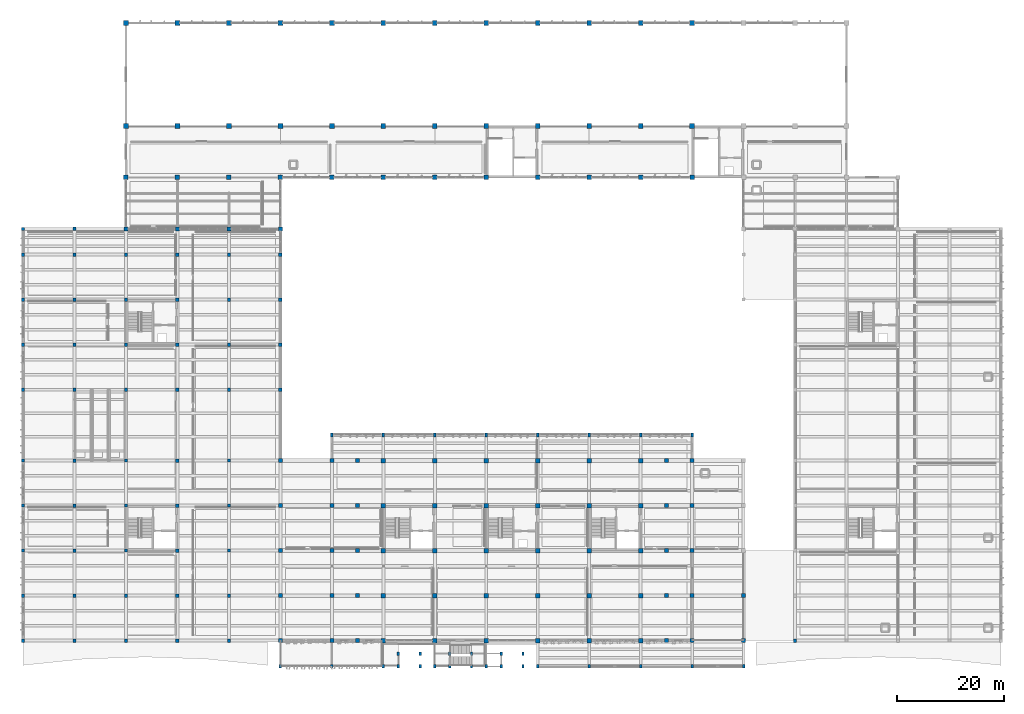
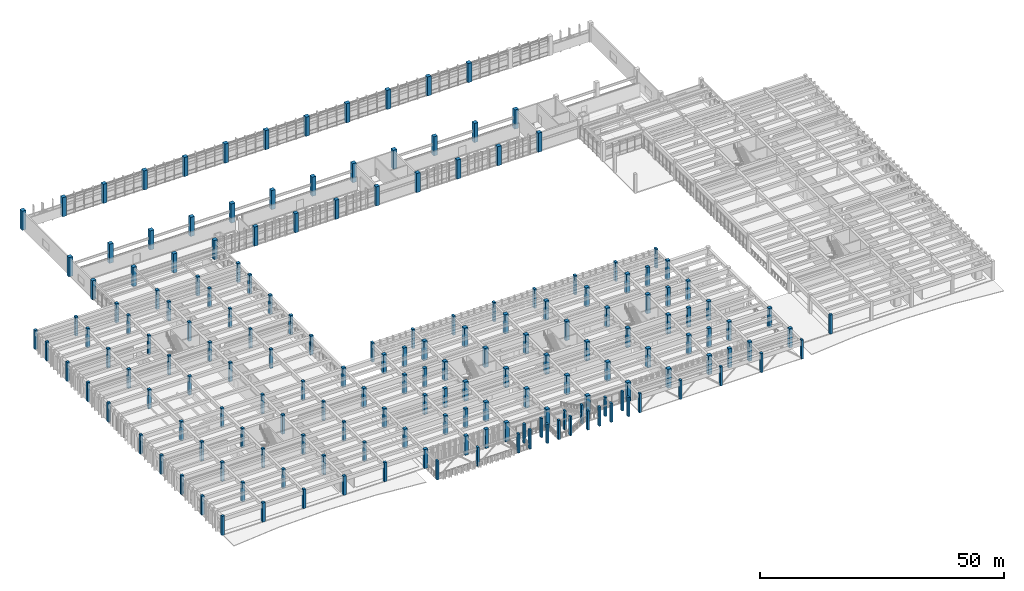
# One storey, part 1 of 86: 179 columns.
"""IFC4 building model written with IfcOpenShell, lengths in metres."""

from ifc_helpers import new_model, si_unit, direction, frame, origin, origin_2d, place, context, subcontext, project, spatial, rectangle, extrude, material, material_profile, profile_set, type_object, element, save


model = new_model("IFC4")

# Units and contexts
model_context = context("Model", 3, precision=1e-05, world=origin(), true_north=direction((0.0, 1.0)))
body_context = subcontext(model_context, "Body", "Model", "MODEL_VIEW")
ifc_project = project(units=[si_unit("LENGTHUNIT", "METRE"), si_unit("AREAUNIT", "SQUARE_METRE"), si_unit("VOLUMEUNIT", "CUBIC_METRE"), si_unit("PLANEANGLEUNIT", "RADIAN"), si_unit("MASSUNIT", "GRAM", prefix="KILO")], contexts=[model_context])

# Site, building, storey
site_placement = place(None, origin())
site = spatial("IfcSite", under=ifc_project, at=site_placement, CompositionType="ELEMENT")
building_placement = place(site_placement, origin())
building = spatial("IfcBuilding", under=site, at=building_placement, Name="Kolvemor Railside Polytechnic", CompositionType="ELEMENT")
storey_placement = place(building_placement, frame((0.0, 0.0, 5.39990234375)))
storey = spatial("IfcBuildingStorey", under=building, at=storey_placement, Name="L01", CompositionType="ELEMENT", Elevation=5.39990234375)

# Columns
ifc_material_1 = material(Name="Concrete C40/50", Category="concrete")
ifc_material_profile_1 = material_profile(ifc_material_1, rectangle(XDim=0.449951171875, YDim=0.64990234375, at=origin_2d()), Name="RC450x650")
ifc_profile_set_1 = profile_set([ifc_material_profile_1], Name="Concrete C40/50")
column_type_1 = type_object("IfcColumnType", Name="COL-RC450x650", PredefinedType="PILASTER", material=ifc_profile_set_1)
for number, where, z_axis, x_axis, name in (
    (1, (48.0, 0.0, 0.0), (0.0, 0.0, 1.0), (1.0, 0.0, 0.0), "Column L01-C060"),
    (2, (57.60009765625, 0.0, 0.0), (0.0, 0.0, 1.0), (1.0, 0.0, 0.0), "Column L01-C074"),
    (3, (67.199951171875, 0.0, 0.0), (0.0, 0.0, 1.0), (1.0, 0.0, 0.0), "Column L01-C089"),
    (4, (70.0, 0.0, 0.0), (0.0, 0.0, 1.0), (1.0, 0.0, 0.0), "Column L01-C099"),
    (5, (70.0, 2.39990234375, 0.0), (0.0, 0.0, 1.0), (1.0, 0.0, 0.0), "Column L01-C100"),
    (6, (74.050048828125, 0.0, 0.0), (0.0, 0.0, 1.0), (1.0, 0.0, 0.0), "Column L01-C101"),
    (7, (74.050048828125, 2.39990234375, 0.0), (0.0, 0.0, 1.0), (1.0, 0.0, 0.0), "Column L01-C102"),
    (8, (76.800048828125, 0.0, 0.0), (0.0, 0.0, 1.0), (1.0, 0.0, 0.0), "Column L01-C103"),
    (9, (79.60009765625, 0.0, 0.0), (0.0, 0.0, 1.0), (1.0, 0.0, 0.0), "Column L01-C113"),
    (10, (79.60009765625, 2.39990234375, 0.0), (0.0, 0.0, 1.0), (1.0, 0.0, 0.0), "Column L01-C114"),
    (11, (83.64990234375, 0.0, 0.0), (0.0, 0.0, 1.0), (1.0, 0.0, 0.0), "Column L01-C115"),
    (12, (83.64990234375, 2.39990234375, 0.0), (0.0, 0.0, 1.0), (1.0, 0.0, 0.0), "Column L01-C116"),
    (13, (86.39990234375, 0.0, 0.0), (0.0, 0.0, 1.0), (1.0, 0.0, 0.0), "Column L01-C117"),
    (14, (89.199951171875, 0.0, 0.0), (0.0, 0.0, 1.0), (1.0, 0.0, 0.0), "Column L01-C127"),
    (15, (89.199951171875, 2.39990234375, 0.0), (0.0, 0.0, 1.0), (1.0, 0.0, 0.0), "Column L01-C128"),
    (16, (93.25, 0.0, 0.0), (0.0, 0.0, 1.0), (1.0, 0.0, 0.0), "Column L01-C129"),
    (17, (93.25, 2.39990234375, 0.0), (0.0, 0.0, 1.0), (1.0, 0.0, 0.0), "Column L01-C130"),
    (18, (96.0, 0.0, 0.0), (0.0, 0.0, 1.0), (1.0, 0.0, 0.0), "Column L01-C131"),
    (19, (105.60009765625, 0.0, 0.0), (0.0, 0.0, 1.0), (1.0, 0.0, 0.0), "Column L01-C141"),
    (20, (115.199951171875, 0.0, 0.0), (0.0, 0.0, 1.0), (1.0, 0.0, 0.0), "Column L01-C151"),
    (21, (124.800048828125, 0.0, 0.0), (0.0, 0.0, 1.0), (1.0, 0.0, 0.0), "Column L01-C166"),
    (22, (134.39990234375, 0.0, 0.0), (0.0, 0.0, 1.0), (1.0, 0.0, 0.0), "Column L01-C176"),
):
    element("IfcColumn", number, at=place(storey_placement, frame(where, z_axis=z_axis, x_axis=x_axis)), inside=storey, type_object=column_type_1, Name=name, PredefinedType="PILASTER", context=body_context, shape_type="SweptSolid", body=[
        extrude(rectangle(XDim=0.449951171875, YDim=0.64990234375, at=origin_2d()), origin(), (0.0, 0.0, 1.0), 4.800048828125),
    ])
ifc_material_2 = material(Name="Concrete C40/50", Category="concrete")
ifc_material_profile_2 = material_profile(ifc_material_2, rectangle(XDim=0.5, YDim=0.75, at=origin_2d()), Name="RC500x750")
ifc_profile_set_2 = profile_set([ifc_material_profile_2], Name="Concrete C40/50")
column_type_2 = type_object("IfcColumnType", Name="COL-RC500x750", PredefinedType="COLUMN", material=ifc_profile_set_2)
for number, where, z_axis, x_axis, name in (
    (23, (57.60009765625, 43.199951171875, 0.0), (0.0, 0.0, 1.0), (1.0, 0.0, 0.0), "Column L01-C080"),
    (24, (67.199951171875, 43.199951171875, 0.0), (0.0, 0.0, 1.0), (1.0, 0.0, 0.0), "Column L01-C095"),
    (25, (76.800048828125, 43.199951171875, 0.0), (0.0, 0.0, 1.0), (1.0, 0.0, 0.0), "Column L01-C109"),
    (26, (86.39990234375, 43.199951171875, 0.0), (0.0, 0.0, 1.0), (1.0, 0.0, 0.0), "Column L01-C123"),
    (27, (96.0, 43.199951171875, 0.0), (0.0, 0.0, 1.0), (1.0, 0.0, 0.0), "Column L01-C137"),
    (28, (105.60009765625, 43.199951171875, 0.0), (0.0, 0.0, 1.0), (1.0, 0.0, 0.0), "Column L01-C147"),
    (29, (115.199951171875, 43.199951171875, 0.0), (0.0, 0.0, 1.0), (1.0, 0.0, 0.0), "Column L01-C157"),
    (30, (124.800048828125, 43.199951171875, 0.0), (0.0, 0.0, 1.0), (1.0, 0.0, 0.0), "Column L01-C172"),
):
    element("IfcColumn", number, at=place(storey_placement, frame(where, z_axis=z_axis, x_axis=x_axis)), inside=storey, type_object=column_type_2, Name=name, PredefinedType="COLUMN", context=body_context, shape_type="SweptSolid", body=[
        extrude(rectangle(XDim=0.5, YDim=0.75, at=origin_2d()), origin(), (0.0, 0.0, 1.0), 4.800048828125),
    ])
ifc_material_3 = material(Name="Concrete C40/50", Category="concrete")
ifc_material_profile_3 = material_profile(ifc_material_3, rectangle(XDim=0.60009765625, YDim=0.60009765625, at=origin_2d()), Name="RC600x600")
ifc_profile_set_3 = profile_set([ifc_material_profile_3], Name="Concrete C40/50")
column_type_3 = type_object("IfcColumnType", Name="COL-RC600", PredefinedType="COLUMN", material=ifc_profile_set_3)
for number, where, z_axis, x_axis, name in (
    (31, (0.0, 4.800048828125, 0.0), (0.0, 0.0, 1.0), (1.0, 0.0, 0.0), "Column L01-C001"),
    (32, (0.0, 13.199951171875, 0.0), (0.0, 0.0, 1.0), (1.0, 0.0, 0.0), "Column L01-C002"),
    (33, (0.0, 21.60009765625, 0.0), (0.0, 0.0, 1.0), (1.0, 0.0, 0.0), "Column L01-C003"),
    (34, (0.0, 30.0, 0.0), (0.0, 0.0, 1.0), (1.0, 0.0, 0.0), "Column L01-C004"),
    (35, (0.0, 38.39990234375, 0.0), (0.0, 0.0, 1.0), (1.0, 0.0, 0.0), "Column L01-C005"),
    (36, (0.0, 51.60009765625, 0.0), (0.0, 0.0, 1.0), (1.0, 0.0, 0.0), "Column L01-C006"),
    (37, (0.0, 60.0, 0.0), (0.0, 0.0, 1.0), (1.0, 0.0, 0.0), "Column L01-C007"),
    (38, (0.0, 68.39990234375, 0.0), (0.0, 0.0, 1.0), (1.0, 0.0, 0.0), "Column L01-C008"),
    (39, (0.0, 76.800048828125, 0.0), (0.0, 0.0, 1.0), (1.0, 0.0, 0.0), "Column L01-C009"),
    (40, (0.0, 81.60009765625, 0.0), (0.0, 0.0, 1.0), (1.0, 0.0, 0.0), "Column L01-C010"),
    (41, (19.199951171875, 4.800048828125, 0.0), (0.0, 0.0, 1.0), (1.0, 0.0, 0.0), "Column L01-C021"),
    (42, (19.199951171875, 13.199951171875, 0.0), (0.0, 0.0, 1.0), (1.0, 0.0, 0.0), "Column L01-C022"),
    (43, (19.199951171875, 21.60009765625, 0.0), (0.0, 0.0, 1.0), (1.0, 0.0, 0.0), "Column L01-C023"),
    (44, (19.199951171875, 30.0, 0.0), (0.0, 0.0, 1.0), (1.0, 0.0, 0.0), "Column L01-C024"),
    (45, (19.199951171875, 38.39990234375, 0.0), (0.0, 0.0, 1.0), (1.0, 0.0, 0.0), "Column L01-C025"),
    (46, (19.199951171875, 51.60009765625, 0.0), (0.0, 0.0, 1.0), (1.0, 0.0, 0.0), "Column L01-C026"),
    (47, (19.199951171875, 60.0, 0.0), (0.0, 0.0, 1.0), (1.0, 0.0, 0.0), "Column L01-C027"),
    (48, (19.199951171875, 68.39990234375, 0.0), (0.0, 0.0, 1.0), (1.0, 0.0, 0.0), "Column L01-C028"),
    (49, (19.199951171875, 76.800048828125, 0.0), (0.0, 0.0, 1.0), (1.0, 0.0, 0.0), "Column L01-C029"),
    (50, (38.39990234375, 4.800048828125, 0.0), (0.0, 0.0, 1.0), (1.0, 0.0, 0.0), "Column L01-C047"),
    (51, (38.39990234375, 13.199951171875, 0.0), (0.0, 0.0, 1.0), (1.0, 0.0, 0.0), "Column L01-C048"),
    (52, (38.39990234375, 21.60009765625, 0.0), (0.0, 0.0, 1.0), (1.0, 0.0, 0.0), "Column L01-C049"),
    (53, (38.39990234375, 30.0, 0.0), (0.0, 0.0, 1.0), (1.0, 0.0, 0.0), "Column L01-C050"),
    (54, (38.39990234375, 38.39990234375, 0.0), (0.0, 0.0, 1.0), (1.0, 0.0, 0.0), "Column L01-C051"),
    (55, (38.39990234375, 51.60009765625, 0.0), (0.0, 0.0, 1.0), (1.0, 0.0, 0.0), "Column L01-C052"),
    (56, (38.39990234375, 60.0, 0.0), (0.0, 0.0, 1.0), (1.0, 0.0, 0.0), "Column L01-C053"),
    (57, (38.39990234375, 68.39990234375, 0.0), (0.0, 0.0, 1.0), (1.0, 0.0, 0.0), "Column L01-C054"),
    (58, (38.39990234375, 76.800048828125, 0.0), (0.0, 0.0, 1.0), (1.0, 0.0, 0.0), "Column L01-C055"),
    (59, (144.0, 4.800048828125, 0.0), (0.0, 0.0, 1.0), (1.0, 0.0, 0.0), "Column L01-C188"),
):
    element("IfcColumn", number, at=place(storey_placement, frame(where, z_axis=z_axis, x_axis=x_axis)), inside=storey, type_object=column_type_3, Name=name, PredefinedType="COLUMN", context=body_context, shape_type="SweptSolid", body=[
        extrude(rectangle(XDim=0.60009765625, YDim=0.60009765625, at=origin_2d()), origin(), (0.0, 0.0, 1.0), 4.800048828125),
    ])
ifc_material_4 = material(Name="Concrete C40/50", Category="concrete")
ifc_material_profile_4 = material_profile(ifc_material_4, rectangle(XDim=0.64990234375, YDim=0.64990234375, at=origin_2d()), Name="RC650x650")
ifc_profile_set_4 = profile_set([ifc_material_profile_4], Name="Concrete C40/50")
column_type_4 = type_object("IfcColumnType", Name="COL-RC650", PredefinedType="COLUMN", material=ifc_profile_set_4)
for number, where, z_axis, x_axis, name in (
    (60, (9.60009765625, 4.800048828125, 0.0), (0.0, 0.0, 1.0), (1.0, 0.0, 0.0), "Column L01-C011"),
    (61, (9.60009765625, 13.199951171875, 0.0), (0.0, 0.0, 1.0), (1.0, 0.0, 0.0), "Column L01-C012"),
    (62, (9.60009765625, 21.60009765625, 0.0), (0.0, 0.0, 1.0), (1.0, 0.0, 0.0), "Column L01-C013"),
    (63, (9.60009765625, 30.0, 0.0), (0.0, 0.0, 1.0), (1.0, 0.0, 0.0), "Column L01-C014"),
    (64, (9.60009765625, 38.39990234375, 0.0), (0.0, 0.0, 1.0), (1.0, 0.0, 0.0), "Column L01-C015"),
    (65, (9.60009765625, 51.60009765625, 0.0), (0.0, 0.0, 1.0), (1.0, 0.0, 0.0), "Column L01-C016"),
    (66, (9.60009765625, 60.0, 0.0), (0.0, 0.0, 1.0), (1.0, 0.0, 0.0), "Column L01-C017"),
    (67, (9.60009765625, 68.39990234375, 0.0), (0.0, 0.0, 1.0), (1.0, 0.0, 0.0), "Column L01-C018"),
    (68, (9.60009765625, 76.800048828125, 0.0), (0.0, 0.0, 1.0), (1.0, 0.0, 0.0), "Column L01-C019"),
    (69, (9.60009765625, 81.60009765625, 0.0), (0.0, 0.0, 1.0), (1.0, 0.0, 0.0), "Column L01-C020"),
    (70, (28.800048828125, 4.800048828125, 0.0), (0.0, 0.0, 1.0), (1.0, 0.0, 0.0), "Column L01-C034"),
    (71, (28.800048828125, 13.199951171875, 0.0), (0.0, 0.0, 1.0), (1.0, 0.0, 0.0), "Column L01-C035"),
    (72, (28.800048828125, 21.60009765625, 0.0), (0.0, 0.0, 1.0), (1.0, 0.0, 0.0), "Column L01-C036"),
    (73, (28.800048828125, 30.0, 0.0), (0.0, 0.0, 1.0), (1.0, 0.0, 0.0), "Column L01-C037"),
    (74, (28.800048828125, 38.39990234375, 0.0), (0.0, 0.0, 1.0), (1.0, 0.0, 0.0), "Column L01-C038"),
    (75, (28.800048828125, 51.60009765625, 0.0), (0.0, 0.0, 1.0), (1.0, 0.0, 0.0), "Column L01-C039"),
    (76, (28.800048828125, 60.0, 0.0), (0.0, 0.0, 1.0), (1.0, 0.0, 0.0), "Column L01-C040"),
    (77, (28.800048828125, 68.39990234375, 0.0), (0.0, 0.0, 1.0), (1.0, 0.0, 0.0), "Column L01-C041"),
    (78, (28.800048828125, 76.800048828125, 0.0), (0.0, 0.0, 1.0), (1.0, 0.0, 0.0), "Column L01-C042"),
    (79, (48.0, 51.60009765625, 0.0), (0.0, 0.0, 1.0), (1.0, 0.0, 0.0), "Column L01-C066"),
    (80, (48.0, 60.0, 0.0), (0.0, 0.0, 1.0), (1.0, 0.0, 0.0), "Column L01-C067"),
    (81, (48.0, 68.39990234375, 0.0), (0.0, 0.0, 1.0), (1.0, 0.0, 0.0), "Column L01-C068"),
    (82, (48.0, 76.800048828125, 0.0), (0.0, 0.0, 1.0), (1.0, 0.0, 0.0), "Column L01-C069"),
):
    element("IfcColumn", number, at=place(storey_placement, frame(where, z_axis=z_axis, x_axis=x_axis)), inside=storey, type_object=column_type_4, Name=name, PredefinedType="COLUMN", context=body_context, shape_type="SweptSolid", body=[
        extrude(rectangle(XDim=0.64990234375, YDim=0.64990234375, at=origin_2d()), origin(), (0.0, 0.0, 1.0), 4.800048828125),
    ])
ifc_material_5 = material(Name="Concrete C40/50", Category="concrete")
ifc_material_profile_5 = material_profile(ifc_material_5, rectangle(XDim=0.699951171875, YDim=0.699951171875, at=origin_2d()), Name="RC700x700")
ifc_profile_set_5 = profile_set([ifc_material_profile_5], Name="Concrete C40/50")
column_type_5 = type_object("IfcColumnType", Name="COL-RC700", PredefinedType="COLUMN", material=ifc_profile_set_5)
for number, where, z_axis, x_axis, name in (
    (83, (19.199951171875, 81.60009765625, 0.0), (0.0, 0.0, 1.0), (1.0, 0.0, 0.0), "Column L01-C030"),
    (84, (28.800048828125, 81.60009765625, 0.0), (0.0, 0.0, 1.0), (1.0, 0.0, 0.0), "Column L01-C043"),
    (85, (38.39990234375, 81.60009765625, 0.0), (0.0, 0.0, 1.0), (1.0, 0.0, 0.0), "Column L01-C056"),
    (86, (48.0, 81.60009765625, 0.0), (0.0, 0.0, 1.0), (1.0, 0.0, 0.0), "Column L01-C070"),
):
    element("IfcColumn", number, at=place(storey_placement, frame(where, z_axis=z_axis, x_axis=x_axis)), inside=storey, type_object=column_type_5, Name=name, PredefinedType="COLUMN", context=body_context, shape_type="SweptSolid", body=[
        extrude(rectangle(XDim=0.699951171875, YDim=0.699951171875, at=origin_2d()), origin(), (0.0, 0.0, 1.0), 4.800048828125),
    ])
ifc_material_6 = material(Name="Concrete C40/50", Category="concrete")
ifc_material_profile_6 = material_profile(ifc_material_6, rectangle(XDim=0.75, YDim=0.75, at=origin_2d()), Name="RC750x750")
ifc_profile_set_6 = profile_set([ifc_material_profile_6], Name="Concrete C40/50")
column_type_6 = type_object("IfcColumnType", Name="COL-RC750", PredefinedType="COLUMN", material=ifc_profile_set_6)
for number, where, z_axis, x_axis, name in (
    (87, (48.0, 4.800048828125, 0.0), (0.0, 0.0, 1.0), (1.0, 0.0, 0.0), "Column L01-C061"),
    (88, (48.0, 13.199951171875, 0.0), (0.0, 0.0, 1.0), (1.0, 0.0, 0.0), "Column L01-C062"),
    (89, (48.0, 21.60009765625, 0.0), (0.0, 0.0, 1.0), (1.0, 0.0, 0.0), "Column L01-C063"),
    (90, (48.0, 30.0, 0.0), (0.0, 0.0, 1.0), (1.0, 0.0, 0.0), "Column L01-C064"),
    (91, (48.0, 38.39990234375, 0.0), (0.0, 0.0, 1.0), (1.0, 0.0, 0.0), "Column L01-C065"),
    (92, (57.60009765625, 4.800048828125, 0.0), (0.0, 0.0, 1.0), (1.0, 0.0, 0.0), "Column L01-C075"),
    (93, (57.60009765625, 13.199951171875, 0.0), (0.0, 0.0, 1.0), (1.0, 0.0, 0.0), "Column L01-C076"),
    (94, (57.60009765625, 21.60009765625, 0.0), (0.0, 0.0, 1.0), (1.0, 0.0, 0.0), "Column L01-C077"),
    (95, (57.60009765625, 30.0, 0.0), (0.0, 0.0, 1.0), (1.0, 0.0, 0.0), "Column L01-C078"),
    (96, (57.60009765625, 38.39990234375, 0.0), (0.0, 0.0, 1.0), (1.0, 0.0, 0.0), "Column L01-C079"),
    (97, (62.39990234375, 4.800048828125, 0.0), (0.0, 0.0, 1.0), (1.0, 0.0, 0.0), "Column L01-C084"),
    (98, (62.39990234375, 13.199951171875, 0.0), (0.0, 0.0, 1.0), (1.0, 0.0, 0.0), "Column L01-C085"),
    (99, (62.39990234375, 21.60009765625, 0.0), (0.0, 0.0, 1.0), (1.0, 0.0, 0.0), "Column L01-C086"),
    (100, (62.39990234375, 30.0, 0.0), (0.0, 0.0, 1.0), (1.0, 0.0, 0.0), "Column L01-C087"),
    (101, (62.39990234375, 38.39990234375, 0.0), (0.0, 0.0, 1.0), (1.0, 0.0, 0.0), "Column L01-C088"),
    (102, (120.0, 4.800048828125, 0.0), (0.0, 0.0, 1.0), (1.0, 0.0, 0.0), "Column L01-C161"),
    (103, (120.0, 13.199951171875, 0.0), (0.0, 0.0, 1.0), (1.0, 0.0, 0.0), "Column L01-C162"),
    (104, (120.0, 21.60009765625, 0.0), (0.0, 0.0, 1.0), (1.0, 0.0, 0.0), "Column L01-C163"),
    (105, (120.0, 30.0, 0.0), (0.0, 0.0, 1.0), (1.0, 0.0, 0.0), "Column L01-C164"),
    (106, (120.0, 38.39990234375, 0.0), (0.0, 0.0, 1.0), (1.0, 0.0, 0.0), "Column L01-C165"),
    (107, (124.800048828125, 4.800048828125, 0.0), (0.0, 0.0, 1.0), (1.0, 0.0, 0.0), "Column L01-C167"),
    (108, (124.800048828125, 13.199951171875, 0.0), (0.0, 0.0, 1.0), (1.0, 0.0, 0.0), "Column L01-C168"),
    (109, (124.800048828125, 21.60009765625, 0.0), (0.0, 0.0, 1.0), (1.0, 0.0, 0.0), "Column L01-C169"),
    (110, (124.800048828125, 30.0, 0.0), (0.0, 0.0, 1.0), (1.0, 0.0, 0.0), "Column L01-C170"),
    (111, (124.800048828125, 38.39990234375, 0.0), (0.0, 0.0, 1.0), (1.0, 0.0, 0.0), "Column L01-C171"),
    (112, (134.39990234375, 4.800048828125, 0.0), (0.0, 0.0, 1.0), (1.0, 0.0, 0.0), "Column L01-C177"),
    (113, (134.39990234375, 13.199951171875, 0.0), (0.0, 0.0, 1.0), (1.0, 0.0, 0.0), "Column L01-C178"),
):
    element("IfcColumn", number, at=place(storey_placement, frame(where, z_axis=z_axis, x_axis=x_axis)), inside=storey, type_object=column_type_6, Name=name, PredefinedType="COLUMN", context=body_context, shape_type="SweptSolid", body=[
        extrude(rectangle(XDim=0.75, YDim=0.75, at=origin_2d()), origin(), (0.0, 0.0, 1.0), 4.800048828125),
    ])
ifc_material_7 = material(Name="Concrete C40/50", Category="concrete")
ifc_material_profile_7 = material_profile(ifc_material_7, rectangle(XDim=0.85009765625, YDim=0.85009765625, at=origin_2d()), Name="RC850x850")
ifc_profile_set_7 = profile_set([ifc_material_profile_7], Name="Concrete C40/50")
column_type_7 = type_object("IfcColumnType", Name="COL-RC850", PredefinedType="COLUMN", material=ifc_profile_set_7)
for number, where, z_axis, x_axis, name in (
    (114, (19.199951171875, 91.199951171875, 0.0), (0.0, 0.0, 1.0), (1.0, 0.0, 0.0), "Column L01-C031"),
    (115, (28.800048828125, 91.199951171875, 0.0), (0.0, 0.0, 1.0), (1.0, 0.0, 0.0), "Column L01-C044"),
    (116, (38.39990234375, 91.199951171875, 0.0), (0.0, 0.0, 1.0), (1.0, 0.0, 0.0), "Column L01-C057"),
    (117, (48.0, 91.199951171875, 0.0), (0.0, 0.0, 1.0), (1.0, 0.0, 0.0), "Column L01-C071"),
    (118, (57.60009765625, 91.199951171875, 0.0), (0.0, 0.0, 1.0), (1.0, 0.0, 0.0), "Column L01-C081"),
    (119, (67.199951171875, 4.800048828125, 0.0), (0.0, 0.0, 1.0), (1.0, 0.0, 0.0), "Column L01-C090"),
    (120, (67.199951171875, 13.199951171875, 0.0), (0.0, 0.0, 1.0), (1.0, 0.0, 0.0), "Column L01-C091"),
    (121, (67.199951171875, 21.60009765625, 0.0), (0.0, 0.0, 1.0), (1.0, 0.0, 0.0), "Column L01-C092"),
    (122, (67.199951171875, 30.0, 0.0), (0.0, 0.0, 1.0), (1.0, 0.0, 0.0), "Column L01-C093"),
    (123, (67.199951171875, 38.39990234375, 0.0), (0.0, 0.0, 1.0), (1.0, 0.0, 0.0), "Column L01-C094"),
    (124, (67.199951171875, 91.199951171875, 0.0), (0.0, 0.0, 1.0), (1.0, 0.0, 0.0), "Column L01-C096"),
    (125, (76.800048828125, 4.800048828125, 0.0), (0.0, 0.0, 1.0), (1.0, 0.0, 0.0), "Column L01-C104"),
    (126, (76.800048828125, 13.199951171875, 0.0), (0.0, 0.0, 1.0), (1.0, 0.0, 0.0), "Column L01-C105"),
    (127, (76.800048828125, 21.60009765625, 0.0), (0.0, 0.0, 1.0), (1.0, 0.0, 0.0), "Column L01-C106"),
    (128, (76.800048828125, 30.0, 0.0), (0.0, 0.0, 1.0), (1.0, 0.0, 0.0), "Column L01-C107"),
    (129, (76.800048828125, 38.39990234375, 0.0), (0.0, 0.0, 1.0), (1.0, 0.0, 0.0), "Column L01-C108"),
    (130, (76.800048828125, 91.199951171875, 0.0), (0.0, 0.0, 1.0), (1.0, 0.0, 0.0), "Column L01-C110"),
    (131, (86.39990234375, 4.800048828125, 0.0), (0.0, 0.0, 1.0), (1.0, 0.0, 0.0), "Column L01-C118"),
    (132, (86.39990234375, 13.199951171875, 0.0), (0.0, 0.0, 1.0), (1.0, 0.0, 0.0), "Column L01-C119"),
    (133, (86.39990234375, 21.60009765625, 0.0), (0.0, 0.0, 1.0), (1.0, 0.0, 0.0), "Column L01-C120"),
    (134, (86.39990234375, 30.0, 0.0), (0.0, 0.0, 1.0), (1.0, 0.0, 0.0), "Column L01-C121"),
    (135, (86.39990234375, 38.39990234375, 0.0), (0.0, 0.0, 1.0), (1.0, 0.0, 0.0), "Column L01-C122"),
    (136, (86.39990234375, 91.199951171875, 0.0), (0.0, 0.0, 1.0), (1.0, 0.0, 0.0), "Column L01-C124"),
    (137, (96.0, 4.800048828125, 0.0), (0.0, 0.0, 1.0), (1.0, 0.0, 0.0), "Column L01-C132"),
    (138, (96.0, 13.199951171875, 0.0), (0.0, 0.0, 1.0), (1.0, 0.0, 0.0), "Column L01-C133"),
    (139, (96.0, 21.60009765625, 0.0), (0.0, 0.0, 1.0), (1.0, 0.0, 0.0), "Column L01-C134"),
    (140, (96.0, 30.0, 0.0), (0.0, 0.0, 1.0), (1.0, 0.0, 0.0), "Column L01-C135"),
    (141, (96.0, 38.39990234375, 0.0), (0.0, 0.0, 1.0), (1.0, 0.0, 0.0), "Column L01-C136"),
    (142, (96.0, 91.199951171875, 0.0), (0.0, 0.0, 1.0), (1.0, 0.0, 0.0), "Column L01-C138"),
    (143, (105.60009765625, 4.800048828125, 0.0), (0.0, 0.0, 1.0), (1.0, 0.0, 0.0), "Column L01-C142"),
    (144, (105.60009765625, 13.199951171875, 0.0), (0.0, 0.0, 1.0), (1.0, 0.0, 0.0), "Column L01-C143"),
    (145, (105.60009765625, 21.60009765625, 0.0), (0.0, 0.0, 1.0), (1.0, 0.0, 0.0), "Column L01-C144"),
    (146, (105.60009765625, 30.0, 0.0), (0.0, 0.0, 1.0), (1.0, 0.0, 0.0), "Column L01-C145"),
    (147, (105.60009765625, 38.39990234375, 0.0), (0.0, 0.0, 1.0), (1.0, 0.0, 0.0), "Column L01-C146"),
    (148, (105.60009765625, 91.199951171875, 0.0), (0.0, 0.0, 1.0), (1.0, 0.0, 0.0), "Column L01-C148"),
    (149, (115.199951171875, 4.800048828125, 0.0), (0.0, 0.0, 1.0), (1.0, 0.0, 0.0), "Column L01-C152"),
    (150, (115.199951171875, 13.199951171875, 0.0), (0.0, 0.0, 1.0), (1.0, 0.0, 0.0), "Column L01-C153"),
    (151, (115.199951171875, 21.60009765625, 0.0), (0.0, 0.0, 1.0), (1.0, 0.0, 0.0), "Column L01-C154"),
    (152, (115.199951171875, 30.0, 0.0), (0.0, 0.0, 1.0), (1.0, 0.0, 0.0), "Column L01-C155"),
    (153, (115.199951171875, 38.39990234375, 0.0), (0.0, 0.0, 1.0), (1.0, 0.0, 0.0), "Column L01-C156"),
    (154, (115.199951171875, 91.199951171875, 0.0), (0.0, 0.0, 1.0), (1.0, 0.0, 0.0), "Column L01-C158"),
    (155, (124.800048828125, 91.199951171875, 0.0), (0.0, 0.0, 1.0), (1.0, 0.0, 0.0), "Column L01-C173"),
):
    element("IfcColumn", number, at=place(storey_placement, frame(where, z_axis=z_axis, x_axis=x_axis)), inside=storey, type_object=column_type_7, Name=name, PredefinedType="COLUMN", context=body_context, shape_type="SweptSolid", body=[
        extrude(rectangle(XDim=0.85009765625, YDim=0.85009765625, at=origin_2d()), origin(), (0.0, 0.0, 1.0), 4.800048828125),
    ])
ifc_material_8 = material(Name="Concrete C40/50", Category="concrete")
ifc_material_profile_8 = material_profile(ifc_material_8, rectangle(XDim=0.89990234375, YDim=0.89990234375, at=origin_2d()), Name="RC900x900")
ifc_profile_set_8 = profile_set([ifc_material_profile_8], Name="Concrete C40/50")
column_type_8 = type_object("IfcColumnType", Name="COL-RC900", PredefinedType="COLUMN", material=ifc_profile_set_8)
for number, where, z_axis, x_axis, name in (
    (156, (19.199951171875, 100.800048828125, 0.0), (0.0, 0.0, 1.0), (1.0, 0.0, 0.0), "Column L01-C032"),
    (157, (19.199951171875, 120.0, 0.0), (0.0, 0.0, 1.0), (1.0, 0.0, 0.0), "Column L01-C033"),
    (158, (28.800048828125, 100.800048828125, 0.0), (0.0, 0.0, 1.0), (1.0, 0.0, 0.0), "Column L01-C045"),
    (159, (28.800048828125, 120.0, 0.0), (0.0, 0.0, 1.0), (1.0, 0.0, 0.0), "Column L01-C046"),
    (160, (38.39990234375, 100.800048828125, 0.0), (0.0, 0.0, 1.0), (1.0, 0.0, 0.0), "Column L01-C058"),
    (161, (38.39990234375, 120.0, 0.0), (0.0, 0.0, 1.0), (1.0, 0.0, 0.0), "Column L01-C059"),
    (162, (48.0, 100.800048828125, 0.0), (0.0, 0.0, 1.0), (1.0, 0.0, 0.0), "Column L01-C072"),
    (163, (48.0, 120.0, 0.0), (0.0, 0.0, 1.0), (1.0, 0.0, 0.0), "Column L01-C073"),
    (164, (57.60009765625, 100.800048828125, 0.0), (0.0, 0.0, 1.0), (1.0, 0.0, 0.0), "Column L01-C082"),
    (165, (57.60009765625, 120.0, 0.0), (0.0, 0.0, 1.0), (1.0, 0.0, 0.0), "Column L01-C083"),
    (166, (67.199951171875, 100.800048828125, 0.0), (0.0, 0.0, 1.0), (1.0, 0.0, 0.0), "Column L01-C097"),
    (167, (67.199951171875, 120.0, 0.0), (0.0, 0.0, 1.0), (1.0, 0.0, 0.0), "Column L01-C098"),
    (168, (76.800048828125, 100.800048828125, 0.0), (0.0, 0.0, 1.0), (1.0, 0.0, 0.0), "Column L01-C111"),
    (169, (76.800048828125, 120.0, 0.0), (0.0, 0.0, 1.0), (1.0, 0.0, 0.0), "Column L01-C112"),
    (170, (86.39990234375, 100.800048828125, 0.0), (0.0, 0.0, 1.0), (1.0, 0.0, 0.0), "Column L01-C125"),
    (171, (86.39990234375, 120.0, 0.0), (0.0, 0.0, 1.0), (1.0, 0.0, 0.0), "Column L01-C126"),
    (172, (96.0, 100.800048828125, 0.0), (0.0, 0.0, 1.0), (1.0, 0.0, 0.0), "Column L01-C139"),
    (173, (96.0, 120.0, 0.0), (0.0, 0.0, 1.0), (1.0, 0.0, 0.0), "Column L01-C140"),
    (174, (105.60009765625, 100.800048828125, 0.0), (0.0, 0.0, 1.0), (1.0, 0.0, 0.0), "Column L01-C149"),
    (175, (105.60009765625, 120.0, 0.0), (0.0, 0.0, 1.0), (1.0, 0.0, 0.0), "Column L01-C150"),
    (176, (115.199951171875, 100.800048828125, 0.0), (0.0, 0.0, 1.0), (1.0, 0.0, 0.0), "Column L01-C159"),
    (177, (115.199951171875, 120.0, 0.0), (0.0, 0.0, 1.0), (1.0, 0.0, 0.0), "Column L01-C160"),
    (178, (124.800048828125, 100.800048828125, 0.0), (0.0, 0.0, 1.0), (1.0, 0.0, 0.0), "Column L01-C174"),
    (179, (124.800048828125, 120.0, 0.0), (0.0, 0.0, 1.0), (1.0, 0.0, 0.0), "Column L01-C175"),
):
    element("IfcColumn", number, at=place(storey_placement, frame(where, z_axis=z_axis, x_axis=x_axis)), inside=storey, type_object=column_type_8, Name=name, PredefinedType="COLUMN", context=body_context, shape_type="SweptSolid", body=[
        extrude(rectangle(XDim=0.89990234375, YDim=0.89990234375, at=origin_2d()), origin(), (0.0, 0.0, 1.0), 4.800048828125),
    ])

save(model, "model.ifc")
